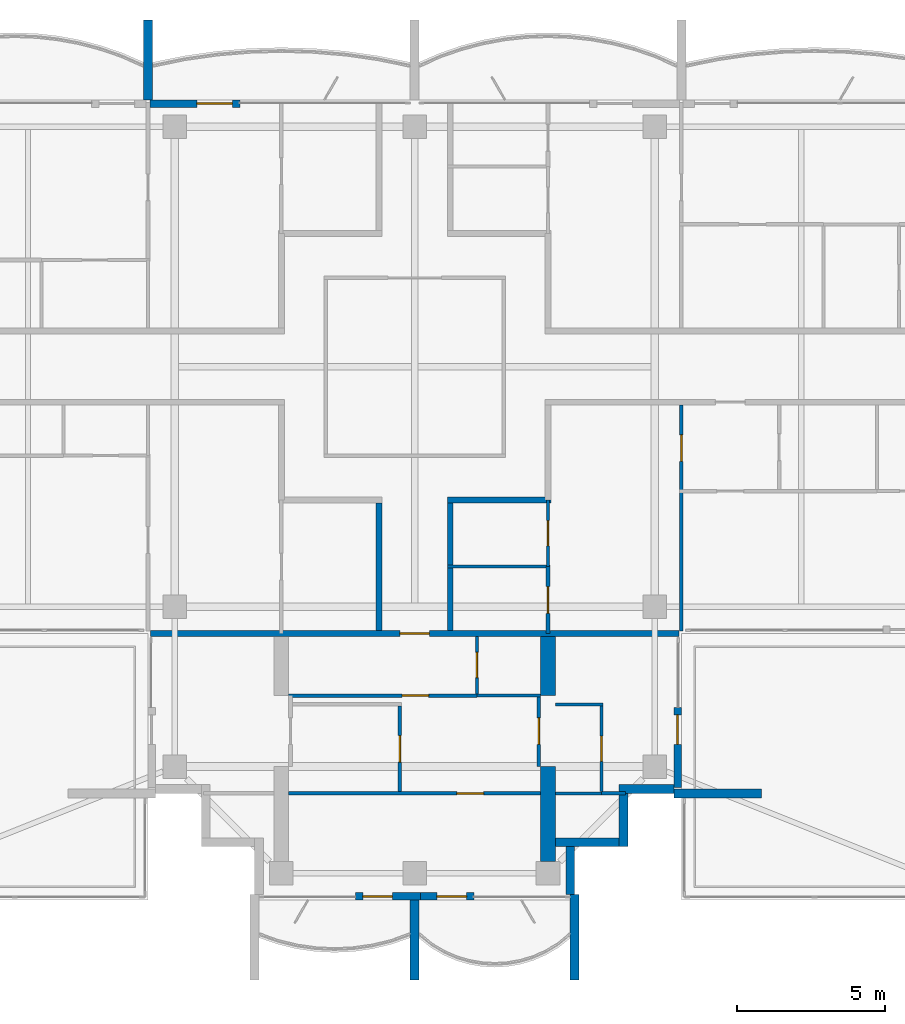
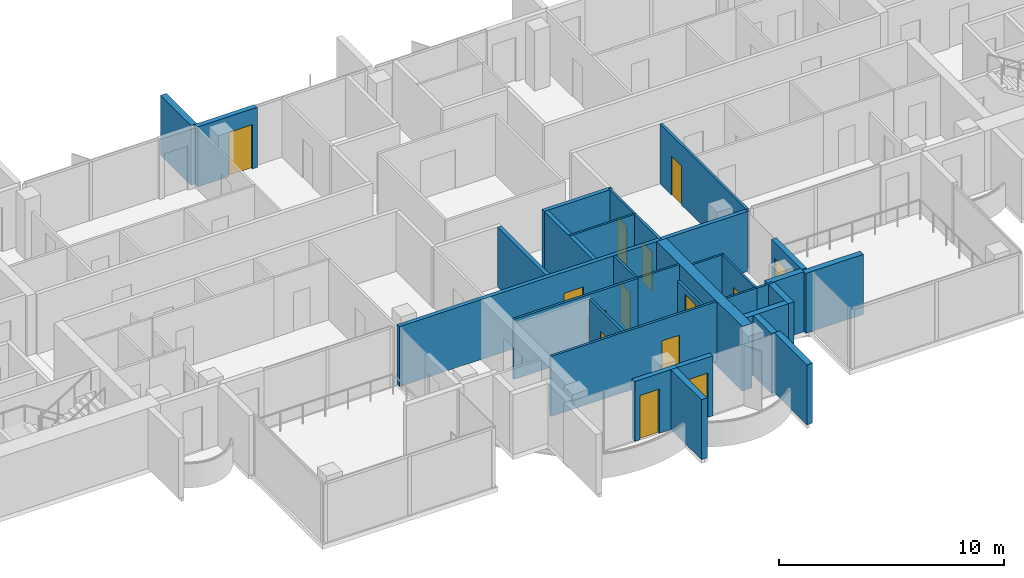
# One storey, part 9 of 16: 31 walls, 14 doors, 14 openings.
"""IFC4 building model written with IfcOpenShell, lengths in metres."""

from ifc_helpers import new_model, si_unit, direction, frame, frame_2d, origin, place, context, subcontext, project, spatial, polyline, rectangle, outline, extrude, material, layer, layer_set, material_profile, profile_set, type_object, element, fill, save


model = new_model("IFC4")

# Units and contexts
model_context = context("Model", 3, precision=1e-05, world=origin(), true_north=direction((0.0, 1.0)))
body_context = subcontext(model_context, "Body", "Model", "MODEL_VIEW")
ifc_project = project(units=[si_unit("LENGTHUNIT", "METRE"), si_unit("AREAUNIT", "SQUARE_METRE"), si_unit("VOLUMEUNIT", "CUBIC_METRE"), si_unit("PLANEANGLEUNIT", "RADIAN"), si_unit("MASSUNIT", "GRAM", prefix="KILO")], contexts=[model_context])

# Site, building, storey
site_placement = place(None, origin())
site = spatial("IfcSite", under=ifc_project, at=site_placement, CompositionType="ELEMENT")
building_placement = place(site_placement, origin())
building = spatial("IfcBuilding", under=site, at=building_placement, Name="Perihelion Cross Residences", CompositionType="ELEMENT")
storey_placement = place(building_placement, frame((0.0, 0.0, 267.5)))
storey = spatial("IfcBuildingStorey", under=building, at=storey_placement, Name="L68", CompositionType="ELEMENT", Elevation=267.5)

# Walls
ifc_material_1 = material(Name="Plasterboard partition")
ifc_layer_1 = layer(ifc_material_1, 0.199951171875)
ifc_layer_set_1 = layer_set([ifc_layer_1], Name="Apartment separation wall 200")
wall_type_1 = type_object("IfcWallType", Name="Apartment separation wall 200", PredefinedType="PARTITIONING", material=ifc_layer_set_1)
wall_1_placement = place(storey_placement, frame((4.60009765625, -4.5, 0.0), z_axis=(0.0, 0.0, 1.0), x_axis=(-1.0, 0.0, 0.0)))
element("IfcWall", 1, at=wall_1_placement, inside=storey, type_object=wall_type_1, Name="Partition L68 W011", PredefinedType="PARTITIONING", context=body_context, shape_type="SweptSolid", body=[
    extrude(rectangle(XDim=3.5, YDim=0.199951171875, at=frame_2d((1.75, 0.0))), origin(), (0.0, 0.0, 1.0), 3.25),
])
for number, where, z_axis, x_axis, name in (
    (2, (1.199951171875, -4.60009765625, 0.0), (0.0, 0.0, 1.0), (0.0, -1.0, 0.0), "Partition L68 W012"),
    (3, (-1.199951171875, -8.89990234375, 0.0), (0.0, 0.0, 1.0), (0.0, 1.0, 0.0), "Partition L68 W019"),
):
    element("IfcWall", number, at=place(storey_placement, frame(where, z_axis=z_axis, x_axis=x_axis)), inside=storey, type_object=wall_type_1, Name=name, PredefinedType="PARTITIONING", context=body_context, shape_type="SweptSolid", body=[
        extrude(rectangle(XDim=4.2998046875, YDim=0.199951171875, at=frame_2d((2.14990234375, 0.0))), origin(), (0.0, 0.0, 1.0), 3.25),
    ])

# Wall, opening, door
wall_2_placement = place(storey_placement, frame((8.919921875, -9.0, 0.0), z_axis=(0.0, 0.0, 1.0), x_axis=(-1.0, 0.0, 0.0)))
wall_2 = element("IfcWall", 4, at=wall_2_placement, inside=storey, type_object=wall_type_1, Name="Partition L68 W021", PredefinedType="PARTITIONING", context=body_context, shape_type="SweptSolid", body=[
    extrude(rectangle(XDim=17.83984375, YDim=0.199951171875, at=frame_2d((8.919921875, 0.0))), origin(), (0.0, 0.0, 1.0), 3.25),
])
opening_1_placement = place(wall_2_placement, frame((8.419921875, 0.0, 0.0)))
opening_1 = element("IfcOpeningElement", 5, at=opening_1_placement, cuts=wall_2, Name="Opening L68.A34", PredefinedType="OPENING", context=body_context, shape_type="SweptSolid", body=[
    extrude(rectangle(XDim=1.0, YDim=2.10009765625, at=frame_2d((0.5, 1.050048828125))), frame((0.0, 0.10986328125, 0.0), z_axis=(0.0, -1.0, 0.0), x_axis=(1.0, 0.0, 0.0)), (0.0, 0.0, 1.0), 0.219970703125),
])
ifc_material_2 = material(Name="Timber door leaf", Category="wood")
door_type_1 = type_object("IfcDoorType", Name="Flat entrance door 1000 x 2100", OperationType="SINGLE_SWING_LEFT", PredefinedType="DOOR", material=ifc_material_2)
door_1_placement = place(opening_1_placement, origin())
door_1 = element("IfcDoor", 6, at=door_1_placement, inside=storey, type_object=door_type_1, Name="Door L68.A34", OperationType="SINGLE_SWING_RIGHT", OverallHeight=2.10009765625, OverallWidth=1.0, PredefinedType="DOOR", context=body_context, shape_type="SweptSolid", body=[
    extrude(rectangle(XDim=1.0, YDim=2.10009765625, at=frame_2d((0.5, 1.050048828125))), frame((0.0, 0.02490234375, 0.0), z_axis=(0.0, -1.0, 0.0), x_axis=(1.0, 0.0, 0.0)), (0.0, 0.0, 1.0), 0.050048828125),
])
fill(opening_1, door_1)

ifc_material_3 = material(Name="Concrete C30/37, bronze-clad", Category="concrete")
ifc_layer_2 = layer(ifc_material_3, 0.25)
ifc_layer_set_2 = layer_set([ifc_layer_2], Name="Bronze-clad pier wall 250")
wall_type_2 = type_object("IfcWallType", Name="Bronze-clad pier wall 250", PredefinedType="SOLIDWALL", material=ifc_layer_set_2)
wall_3_placement = place(storey_placement, frame((-5.89990234375, 8.875, 0.0), z_axis=(0.0, 0.0, 1.0), x_axis=(-1.0, 0.0, 0.0)))
wall_3 = element("IfcWall", 7, at=wall_3_placement, inside=storey, type_object=wall_type_2, Name="Wall FW1 L68 north side east bay 2 pier", PredefinedType="SOLIDWALL", context=body_context, shape_type="SweptSolid", body=[
    extrude(rectangle(XDim=3.0400390625, YDim=0.25, at=frame_2d((1.52001953125, 0.0))), origin(), (0.0, 0.0, 1.0), 3.25),
])
opening_2_placement = place(wall_3_placement, frame((0.25, 0.0, 0.0)))
opening_2 = element("IfcOpeningElement", 8, at=opening_2_placement, cuts=wall_3, Name="Opening L68.E04", PredefinedType="OPENING", context=body_context, shape_type="SweptSolid", body=[
    extrude(rectangle(XDim=1.199951171875, YDim=2.39990234375, at=frame_2d((0.60009765625, 1.199951171875))), frame((0.0, 0.135009765625, 0.0), z_axis=(0.0, -1.0, 0.0), x_axis=(1.0, 0.0, 0.0)), (0.0, 0.0, 1.0), 0.27001953125),
])
ifc_material_4 = material(Name="Bronze anodised aluminium, glazed", Category="aluminium")
door_type_2 = type_object("IfcDoorType", Name="Balcony door 1200 x 2400", OperationType="NOTDEFINED", PredefinedType="DOOR", material=ifc_material_4)
door_2_placement = place(opening_2_placement, origin())
door_2 = element("IfcDoor", 9, at=door_2_placement, inside=storey, type_object=door_type_2, Name="Door L68.E04 north side east bay 2", OperationType="SINGLE_SWING_RIGHT", OverallHeight=2.39990234375, OverallWidth=1.199951171875, PredefinedType="DOOR", context=body_context, shape_type="SweptSolid", body=[
    extrude(rectangle(XDim=1.199951171875, YDim=2.39990234375, at=frame_2d((0.60009765625, 1.199951171875))), frame((0.0, 0.02490234375, 0.0), z_axis=(0.0, -1.0, 0.0), x_axis=(1.0, 0.0, 0.0)), (0.0, 0.0, 1.0), 0.050048828125),
])
fill(opening_2, door_2)

wall_4_placement = place(storey_placement, frame((-2.0, -17.875, 0.0), z_axis=(0.0, 0.0, 1.0), x_axis=(1.0, 0.0, 0.0)))
wall_4 = element("IfcWall", 10, at=wall_4_placement, inside=storey, type_object=wall_type_2, Name="Wall FW1 L68 south tip south bay 1 pier", PredefinedType="SOLIDWALL", context=body_context, shape_type="SweptSolid", body=[
    extrude(rectangle(XDim=2.199951171875, YDim=0.25, at=frame_2d((1.10009765625, 0.0))), origin(), (0.0, 0.0, 1.0), 3.25),
])
opening_3_placement = place(wall_4_placement, frame((0.25, 0.0, 0.0)))
opening_3 = element("IfcOpeningElement", 11, at=opening_3_placement, cuts=wall_4, Name="Opening L68.E10", PredefinedType="OPENING", context=body_context, shape_type="SweptSolid", body=[
    extrude(rectangle(XDim=1.0, YDim=2.39990234375, at=frame_2d((0.5, 1.199951171875))), frame((0.0, 0.135009765625, 0.0), z_axis=(0.0, -1.0, 0.0), x_axis=(1.0, 0.0, 0.0)), (0.0, 0.0, 1.0), 0.27001953125),
])
ifc_material_5 = material(Name="Bronze anodised aluminium, glazed", Category="aluminium")
door_type_3 = type_object("IfcDoorType", Name="Balcony door 1000 x 2400", OperationType="NOTDEFINED", PredefinedType="DOOR", material=ifc_material_5)
door_3_placement = place(opening_3_placement, origin())
door_3 = element("IfcDoor", 12, at=door_3_placement, inside=storey, type_object=door_type_3, Name="Door L68.E10 south tip south bay 1", OperationType="SINGLE_SWING_RIGHT", OverallHeight=2.39990234375, OverallWidth=1.0, PredefinedType="DOOR", context=body_context, shape_type="SweptSolid", body=[
    extrude(rectangle(XDim=1.0, YDim=2.39990234375, at=frame_2d((0.5, 1.199951171875))), frame((0.0, 0.02490234375, 0.0), z_axis=(0.0, -1.0, 0.0), x_axis=(1.0, 0.0, 0.0)), (0.0, 0.0, 1.0), 0.050048828125),
])
fill(opening_3, door_3)

wall_5_placement = place(storey_placement, frame((0.199951171875, -17.875, 0.0), z_axis=(0.0, 0.0, 1.0), x_axis=(1.0, 0.0, 0.0)))
wall_5 = element("IfcWall", 13, at=wall_5_placement, inside=storey, type_object=wall_type_2, Name="Wall FW1 L68 south tip south bay 2 pier", PredefinedType="SOLIDWALL", context=body_context, shape_type="SweptSolid", body=[
    extrude(rectangle(XDim=1.800048828125, YDim=0.25, at=frame_2d((0.89990234375, 0.0))), origin(), (0.0, 0.0, 1.0), 3.25),
])
opening_4_placement = place(wall_5_placement, frame((0.550048828125, 0.0, 0.0)))
opening_4 = element("IfcOpeningElement", 14, at=opening_4_placement, cuts=wall_5, Name="Opening L68.E11", PredefinedType="OPENING", context=body_context, shape_type="SweptSolid", body=[
    extrude(rectangle(XDim=1.0, YDim=2.39990234375, at=frame_2d((0.5, 1.199951171875))), frame((0.0, 0.135009765625, 0.0), z_axis=(0.0, -1.0, 0.0), x_axis=(1.0, 0.0, 0.0)), (0.0, 0.0, 1.0), 0.27001953125),
])
door_4_placement = place(opening_4_placement, origin())
door_4 = element("IfcDoor", 15, at=door_4_placement, inside=storey, type_object=door_type_3, Name="Door L68.E11 south tip south bay 2", OperationType="SINGLE_SWING_LEFT", OverallHeight=2.39990234375, OverallWidth=1.0, PredefinedType="DOOR", context=body_context, shape_type="SweptSolid", body=[
    extrude(rectangle(XDim=1.0, YDim=2.39990234375, at=frame_2d((0.5, 1.199951171875))), frame((0.0, 0.02490234375, 0.0), z_axis=(0.0, -1.0, 0.0), x_axis=(1.0, 0.0, 0.0)), (0.0, 0.0, 1.0), 0.050048828125),
])
fill(opening_4, door_4)

wall_6_placement = place(storey_placement, frame((8.875, -14.199951171875, 0.0), z_axis=(0.0, 0.0, 1.0), x_axis=(0.0, 1.0, 0.0)))
wall_6 = element("IfcWall", 16, at=wall_6_placement, inside=storey, type_object=wall_type_2, Name="Wall FW1 L68 south side east bay 1 pier", PredefinedType="SOLIDWALL", context=body_context, shape_type="SweptSolid", body=[
    extrude(rectangle(XDim=2.699951171875, YDim=0.25, at=frame_2d((1.35009765625, 0.0))), origin(), (0.0, 0.0, 1.0), 3.25),
])
opening_5_placement = place(wall_6_placement, frame((1.449951171875, 0.0, 0.0)))
opening_5 = element("IfcOpeningElement", 17, at=opening_5_placement, cuts=wall_6, Name="Opening L68.E12", PredefinedType="OPENING", context=body_context, shape_type="SweptSolid", body=[
    extrude(rectangle(XDim=1.0, YDim=2.39990234375, at=frame_2d((0.5, 1.199951171875))), frame((0.0, 0.135009765625, 0.0), z_axis=(0.0, -1.0, 0.0), x_axis=(1.0, 0.0, 0.0)), (0.0, 0.0, 1.0), 0.27001953125),
])
door_5_placement = place(opening_5_placement, origin())
door_5 = element("IfcDoor", 18, at=door_5_placement, inside=storey, type_object=door_type_3, Name="Door L68.E12 south side east bay 1", OperationType="SINGLE_SWING_RIGHT", OverallHeight=2.39990234375, OverallWidth=1.0, PredefinedType="DOOR", context=body_context, shape_type="SweptSolid", body=[
    extrude(rectangle(XDim=1.0, YDim=2.39990234375, at=frame_2d((0.5, 1.199951171875))), frame((0.0, 0.02490234375, 0.0), z_axis=(0.0, -1.0, 0.0), x_axis=(1.0, 0.0, 0.0)), (0.0, 0.0, 1.0), 0.050048828125),
])
fill(opening_5, door_5)

# Walls
ifc_material_6 = material(Name="Concrete C30/37, bronze-clad", Category="concrete")
ifc_layer_3 = layer(ifc_material_6, 0.300048828125)
ifc_layer_set_3 = layer_set([ifc_layer_3], Name="Bronze-clad serration wall 300")
wall_type_3 = type_object("IfcWallType", Name="Bronze-clad serration wall 300", PredefinedType="SOLIDWALL", material=ifc_layer_set_3)
wall_7_placement = place(storey_placement, frame((5.25, -17.820068359375, 0.0), z_axis=(0.0, 0.0, 1.0), x_axis=(0.0, 1.0, 0.0)))
element("IfcWall", 19, at=wall_7_placement, inside=storey, type_object=wall_type_3, Name="Wall SR1 L68 south corner south-east 1", PredefinedType="SOLIDWALL", context=body_context, shape_type="SweptSolid", body=[
    extrude(rectangle(XDim=1.6201171875, YDim=0.300048828125, at=frame_2d((0.81005859375, 0.0))), origin(), (0.0, 0.0, 1.0), 3.25),
])
wall_8_placement = place(storey_placement, frame((4.75, -16.050048828125, 0.0), z_axis=(0.0, 0.0, 1.0), x_axis=(1.0, 0.0, 0.0)))
element("IfcWall", 20, at=wall_8_placement, inside=storey, type_object=wall_type_3, Name="Wall SR1 L68 south corner south-east 2", PredefinedType="SOLIDWALL", context=body_context, shape_type="SweptSolid", body=[
    extrude(rectangle(XDim=2.14990234375, YDim=0.300048828125, at=frame_2d((1.074951171875, 0.0))), origin(), (0.0, 0.0, 1.0), 3.25),
])
wall_9_placement = place(storey_placement, frame((7.050048828125, -16.199951171875, 0.0), z_axis=(0.0, 0.0, 1.0), x_axis=(0.0, 1.0, 0.0)))
element("IfcWall", 21, at=wall_9_placement, inside=storey, type_object=wall_type_3, Name="Wall SR1 L68 south corner south-east 3", PredefinedType="SOLIDWALL", context=body_context, shape_type="SweptSolid", body=[
    extrude(rectangle(XDim=1.800048828125, YDim=0.300048828125, at=frame_2d((0.89990234375, 0.0))), origin(), (0.0, 0.0, 1.0), 3.25),
])
wall_10_placement = place(storey_placement, frame((6.89990234375, -14.25, 0.0), z_axis=(0.0, 0.0, 1.0), x_axis=(1.0, 0.0, 0.0)))
element("IfcWall", 22, at=wall_10_placement, inside=storey, type_object=wall_type_3, Name="Wall SR1 L68 south corner south-east 4", PredefinedType="SOLIDWALL", context=body_context, shape_type="SweptSolid", body=[
    extrude(rectangle(XDim=1.85009765625, YDim=0.300048828125, at=frame_2d((0.925048828125, 0.0))), origin(), (0.0, 0.0, 1.0), 3.25),
])

# Wall, opening, door
ifc_material_7 = material(Name="Plasterboard partition")
ifc_layer_4 = layer(ifc_material_7, 0.1201171875)
ifc_layer_set_4 = layer_set([ifc_layer_4], Name="Infill panel 120")
wall_type_4 = type_object("IfcWallType", Name="Infill panel 120", PredefinedType="PARTITIONING", material=ifc_layer_set_4)
wall_11_placement = place(storey_placement, frame((4.18994140625, -11.10009765625, 0.0), z_axis=(0.0, 0.0, 1.0), x_axis=(0.0, -1.0, 0.0)))
wall_11 = element("IfcWall", 23, at=wall_11_placement, inside=storey, type_object=wall_type_4, Name="Partition L68 WI01", PredefinedType="PARTITIONING", context=body_context, shape_type="SweptSolid", body=[
    extrude(rectangle(XDim=2.39990234375, YDim=0.1201171875, at=frame_2d((1.199951171875, 0.0))), origin(), (0.0, 0.0, 1.0), 2.39990234375),
])
opening_6_placement = place(wall_11_placement, frame((0.75, 0.0, 0.0)))
opening_6 = element("IfcOpeningElement", 24, at=opening_6_placement, cuts=wall_11, Name="Opening L68.A44", PredefinedType="OPENING", context=body_context, shape_type="SweptSolid", body=[
    extrude(rectangle(XDim=0.89990234375, YDim=2.10009765625, at=frame_2d((0.449951171875, 1.050048828125))), frame((0.0, 0.070068359375, 0.0), z_axis=(0.0, -1.0, 0.0), x_axis=(1.0, 0.0, 0.0)), (0.0, 0.0, 1.0), 0.14013671875),
])
ifc_material_8 = material(Name="Timber door leaf", Category="wood")
door_type_4 = type_object("IfcDoorType", Name="Interior room door 900 x 2100", OperationType="SINGLE_SWING_LEFT", PredefinedType="DOOR", material=ifc_material_8)
door_6_placement = place(opening_6_placement, origin())
door_6 = element("IfcDoor", 25, at=door_6_placement, inside=storey, type_object=door_type_4, Name="Door L68.A44", OperationType="SINGLE_SWING_LEFT", OverallHeight=2.10009765625, OverallWidth=0.89990234375, PredefinedType="DOOR", context=body_context, shape_type="SweptSolid", body=[
    extrude(rectangle(XDim=0.89990234375, YDim=2.10009765625, at=frame_2d((0.449951171875, 1.050048828125))), frame((0.0, 0.02490234375, 0.0), z_axis=(0.0, -1.0, 0.0), x_axis=(1.0, 0.0, 0.0)), (0.0, 0.0, 1.0), 0.050048828125),
])
fill(opening_6, door_6)

ifc_material_9 = material(Name="Plasterboard partition")
ifc_layer_5 = layer(ifc_material_9, 0.1201171875)
ifc_layer_set_5 = layer_set([ifc_layer_5], Name="Partition wall 120")
wall_type_5 = type_object("IfcWallType", Name="Partition wall 120", PredefinedType="PARTITIONING", material=ifc_layer_set_5)
wall_12_placement = place(storey_placement, frame((9.0, -8.919921875, 0.0), z_axis=(0.0, 0.0, 1.0), x_axis=(0.0, 1.0, 0.0)))
wall_12 = element("IfcWall", 26, at=wall_12_placement, inside=storey, type_object=wall_type_5, Name="Partition L68 W035", PredefinedType="PARTITIONING", context=body_context, shape_type="SweptSolid", body=[
    extrude(rectangle(XDim=7.619873046875, YDim=0.1201171875, at=frame_2d((3.81005859375, 0.0))), origin(), (0.0, 0.0, 1.0), 3.25),
])
opening_7_placement = place(wall_12_placement, frame((5.719970703125, 0.0, 0.0)))
opening_7 = element("IfcOpeningElement", 27, at=opening_7_placement, cuts=wall_12, Name="Opening L68.A12", PredefinedType="OPENING", context=body_context, shape_type="SweptSolid", body=[
    extrude(rectangle(XDim=0.89990234375, YDim=2.10009765625, at=frame_2d((0.449951171875, 1.050048828125))), frame((0.0, 0.070068359375, 0.0), z_axis=(0.0, -1.0, 0.0), x_axis=(1.0, 0.0, 0.0)), (0.0, 0.0, 1.0), 0.14013671875),
])
door_7_placement = place(opening_7_placement, origin())
door_7 = element("IfcDoor", 28, at=door_7_placement, inside=storey, type_object=door_type_4, Name="Door L68.A12", OperationType="SINGLE_SWING_RIGHT", OverallHeight=2.10009765625, OverallWidth=0.89990234375, PredefinedType="DOOR", context=body_context, shape_type="SweptSolid", body=[
    extrude(rectangle(XDim=0.89990234375, YDim=2.10009765625, at=frame_2d((0.449951171875, 1.050048828125))), frame((0.0, 0.02490234375, 0.0), z_axis=(0.0, -1.0, 0.0), x_axis=(1.0, 0.0, 0.0)), (0.0, 0.0, 1.0), 0.050048828125),
])
fill(opening_7, door_7)

wall_13_placement = place(storey_placement, frame((4.5, -9.0, 0.0), z_axis=(0.0, 0.0, 1.0), x_axis=(0.0, 1.0, 0.0)))
wall_13 = element("IfcWall", 29, at=wall_13_placement, inside=storey, type_object=wall_type_5, Name="Partition L68 W042", PredefinedType="PARTITIONING", context=body_context, shape_type="SweptSolid", body=[
    extrude(rectangle(XDim=2.25, YDim=0.1201171875, at=frame_2d((1.125, 0.0))), origin(), (0.0, 0.0, 1.0), 3.25),
])
opening_8_placement = place(wall_13_placement, frame((0.675048828125, 0.0, 0.0)))
opening_8 = element("IfcOpeningElement", 30, at=opening_8_placement, cuts=wall_13, Name="Opening L68.A14", PredefinedType="OPENING", context=body_context, shape_type="SweptSolid", body=[
    extrude(rectangle(XDim=0.89990234375, YDim=2.10009765625, at=frame_2d((0.449951171875, 1.050048828125))), frame((0.0, 0.070068359375, 0.0), z_axis=(0.0, -1.0, 0.0), x_axis=(1.0, 0.0, 0.0)), (0.0, 0.0, 1.0), 0.14013671875),
])
door_8_placement = place(opening_8_placement, origin())
door_8 = element("IfcDoor", 31, at=door_8_placement, inside=storey, type_object=door_type_4, Name="Door L68.A14", OperationType="SINGLE_SWING_LEFT", OverallHeight=2.10009765625, OverallWidth=0.89990234375, PredefinedType="DOOR", context=body_context, shape_type="SweptSolid", body=[
    extrude(rectangle(XDim=0.89990234375, YDim=2.10009765625, at=frame_2d((0.449951171875, 1.050048828125))), frame((0.0, 0.02490234375, 0.0), z_axis=(0.0, -1.0, 0.0), x_axis=(1.0, 0.0, 0.0)), (0.0, 0.0, 1.0), 0.050048828125),
])
fill(opening_8, door_8)

wall_14_placement = place(storey_placement, frame((2.10009765625, -11.10009765625, 0.0), z_axis=(0.0, 0.0, 1.0), x_axis=(-1.0, 0.0, 0.0)))
wall_14 = element("IfcWall", 32, at=wall_14_placement, inside=storey, type_object=wall_type_5, Name="Partition L68 W068", PredefinedType="PARTITIONING", context=body_context, shape_type="SweptSolid", body=[
    extrude(rectangle(XDim=6.35009765625, YDim=0.1201171875, at=frame_2d((3.175048828125, 0.0))), origin(), (0.0, 0.0, 1.0), 3.25),
])
opening_9_placement = place(wall_14_placement, frame((1.625, 0.0, 0.0)))
opening_9 = element("IfcOpeningElement", 33, at=opening_9_placement, cuts=wall_14, Name="Opening L68.A36", PredefinedType="OPENING", context=body_context, shape_type="SweptSolid", body=[
    extrude(rectangle(XDim=0.89990234375, YDim=2.10009765625, at=frame_2d((0.449951171875, 1.050048828125))), frame((0.0, 0.070068359375, 0.0), z_axis=(0.0, -1.0, 0.0), x_axis=(1.0, 0.0, 0.0)), (0.0, 0.0, 1.0), 0.14013671875),
])
door_9_placement = place(opening_9_placement, origin())
door_9 = element("IfcDoor", 34, at=door_9_placement, inside=storey, type_object=door_type_4, Name="Door L68.A36", OperationType="SINGLE_SWING_RIGHT", OverallHeight=2.10009765625, OverallWidth=0.89990234375, PredefinedType="DOOR", context=body_context, shape_type="SweptSolid", body=[
    extrude(rectangle(XDim=0.89990234375, YDim=2.10009765625, at=frame_2d((0.449951171875, 1.050048828125))), frame((0.0, 0.02490234375, 0.0), z_axis=(0.0, -1.0, 0.0), x_axis=(1.0, 0.0, 0.0)), (0.0, 0.0, 1.0), 0.050048828125),
])
fill(opening_9, door_9)

wall_15_placement = place(storey_placement, frame((-0.5, -14.340087890625, 0.0), z_axis=(0.0, 0.0, 1.0), x_axis=(0.0, 1.0, 0.0)))
wall_15 = element("IfcWall", 35, at=wall_15_placement, inside=storey, type_object=wall_type_5, Name="Partition L68 W070", PredefinedType="PARTITIONING", context=body_context, shape_type="SweptSolid", body=[
    extrude(rectangle(XDim=2.880126953125, YDim=0.1201171875, at=frame_2d((1.43994140625, 0.0))), origin(), (0.0, 0.0, 1.0), 3.25),
])
opening_10_placement = place(wall_15_placement, frame((0.989990234375, 0.0, 0.0)))
opening_10 = element("IfcOpeningElement", 36, at=opening_10_placement, cuts=wall_15, Name="Opening L68.A37", PredefinedType="OPENING", context=body_context, shape_type="SweptSolid", body=[
    extrude(rectangle(XDim=0.89990234375, YDim=2.10009765625, at=frame_2d((0.449951171875, 1.050048828125))), frame((0.0, 0.070068359375, 0.0), z_axis=(0.0, -1.0, 0.0), x_axis=(1.0, 0.0, 0.0)), (0.0, 0.0, 1.0), 0.14013671875),
])
door_10_placement = place(opening_10_placement, origin())
door_10 = element("IfcDoor", 37, at=door_10_placement, inside=storey, type_object=door_type_4, Name="Door L68.A37", OperationType="SINGLE_SWING_RIGHT", OverallHeight=2.10009765625, OverallWidth=0.89990234375, PredefinedType="DOOR", context=body_context, shape_type="SweptSolid", body=[
    extrude(rectangle(XDim=0.89990234375, YDim=2.10009765625, at=frame_2d((0.449951171875, 1.050048828125))), frame((0.0, 0.02490234375, 0.0), z_axis=(0.0, -1.0, 0.0), x_axis=(1.0, 0.0, 0.0)), (0.0, 0.0, 1.0), 0.050048828125),
])
fill(opening_10, door_10)

wall_16_placement = place(storey_placement, frame((4.25, -14.39990234375, 0.0), z_axis=(0.0, 0.0, 1.0), x_axis=(-1.0, 0.0, 0.0)))
wall_16 = element("IfcWall", 38, at=wall_16_placement, inside=storey, type_object=wall_type_5, Name="Partition L68 W072", PredefinedType="PARTITIONING", context=body_context, shape_type="SweptSolid", body=[
    extrude(rectangle(XDim=8.5, YDim=0.1201171875, at=frame_2d((4.25, 0.0))), origin(), (0.0, 0.0, 1.0), 3.25),
])
opening_11_placement = place(wall_16_placement, frame((1.925048828125, 0.0, 0.0)))
opening_11 = element("IfcOpeningElement", 39, at=opening_11_placement, cuts=wall_16, Name="Opening L68.A38", PredefinedType="OPENING", context=body_context, shape_type="SweptSolid", body=[
    extrude(rectangle(XDim=0.89990234375, YDim=2.10009765625, at=frame_2d((0.449951171875, 1.050048828125))), frame((0.0, 0.070068359375, 0.0), z_axis=(0.0, -1.0, 0.0), x_axis=(1.0, 0.0, 0.0)), (0.0, 0.0, 1.0), 0.14013671875),
])
door_11_placement = place(opening_11_placement, origin())
door_11 = element("IfcDoor", 40, at=door_11_placement, inside=storey, type_object=door_type_4, Name="Door L68.A38", OperationType="SINGLE_SWING_RIGHT", OverallHeight=2.10009765625, OverallWidth=0.89990234375, PredefinedType="DOOR", context=body_context, shape_type="SweptSolid", body=[
    extrude(rectangle(XDim=0.89990234375, YDim=2.10009765625, at=frame_2d((0.449951171875, 1.050048828125))), frame((0.0, 0.02490234375, 0.0), z_axis=(0.0, -1.0, 0.0), x_axis=(1.0, 0.0, 0.0)), (0.0, 0.0, 1.0), 0.050048828125),
])
fill(opening_11, door_11)

# Walls
wall_17_placement = place(storey_placement, frame((7.1201171875, -14.39990234375, 0.0), z_axis=(0.0, 0.0, 1.0), x_axis=(-1.0, 0.0, 0.0)))
element("IfcWall", 41, at=wall_17_placement, inside=storey, type_object=wall_type_5, Name="Partition L68 W075", PredefinedType="PARTITIONING", context=body_context, shape_type="SweptSolid", body=[
    extrude(rectangle(XDim=0.820068359375, YDim=0.1201171875, at=frame_2d((0.41015625, 0.0))), origin(), (0.0, 0.0, 1.0), 3.25),
])
ifc_material_10 = material(Name="Precast concrete C50/60", Category="concrete")
ifc_layer_6 = layer(ifc_material_10, 0.300048828125)
ifc_layer_set_6 = layer_set([ifc_layer_6], Name="Precast concrete C50/60 blade wall 300")
wall_type_6 = type_object("IfcWallType", Name="Precast concrete C50/60 blade wall 300", PredefinedType="SOLIDWALL", material=ifc_layer_set_6)
for number, where, z_axis, x_axis, name in (
    (42, (-9.0, 9.0, 0.0), (0.0, 0.0, 1.0), (0.0, 1.0, 0.0), "Wall BL1 L68 no. 7"),
    (43, (0.0, -18.0, 0.0), (0.0, 0.0, 1.0), (0.0, -1.0, 0.0), "Wall BL1 L68 no. 8"),
):
    element("IfcWall", number, at=place(storey_placement, frame(where, z_axis=z_axis, x_axis=x_axis)), inside=storey, type_object=wall_type_6, Name=name, PredefinedType="SOLIDWALL", context=body_context, shape_type="SweptSolid", body=[
        extrude(rectangle(XDim=2.699951171875, YDim=0.300048828125, at=frame_2d((1.35009765625, 0.0))), origin(), (0.0, 0.0, 1.0), 3.25),
    ])
wall_18_placement = place(storey_placement, frame((5.39990234375, -17.820068359375, 0.0), z_axis=(0.0, 0.0, 1.0), x_axis=(0.0, -1.0, 0.0)))
element("IfcWall", 44, at=wall_18_placement, inside=storey, type_object=wall_type_6, Name="Wall BL1 L68 no. 14", PredefinedType="SOLIDWALL", context=body_context, shape_type="SweptSolid", body=[
    extrude(rectangle(XDim=2.8798828125, YDim=0.300048828125, at=frame_2d((1.43994140625, 0.0))), origin(), (0.0, 0.0, 1.0), 3.25),
])
wall_19_placement = place(storey_placement, frame((8.75, -14.39990234375, 0.0), z_axis=(0.0, 0.0, 1.0), x_axis=(1.0, 0.0, 0.0)))
element("IfcWall", 45, at=wall_19_placement, inside=storey, type_object=wall_type_6, Name="Wall BL1 L68 no. 15", PredefinedType="SOLIDWALL", context=body_context, shape_type="SweptSolid", body=[
    extrude(rectangle(XDim=2.949951171875, YDim=0.300048828125, at=frame_2d((1.47509765625, 0.0))), origin(), (0.0, 0.0, 1.0), 3.25),
])
ifc_material_11 = material(Name="Concrete C50/60", Category="concrete")
ifc_material_profile = material_profile(ifc_material_11, outline(polyline([(0.0, 0.0), (3.199951171875, 0.0), (3.199951171875, 2.64990234375), (5.60009765625, 2.64990234375), (5.60009765625, 0.0), (7.699951171875, 0.0), (7.699951171875, 3.5), (0.0, 3.5), (0.0, 0.0)])), Name="Tip spine wall")
ifc_profile_set = profile_set([ifc_material_profile], Name="Concrete C50/60")
wall_type_7 = type_object("IfcWallType", Name="Tip spine wall 500 with 1 door openings 7700 long 3500 high concrete C50/60", PredefinedType="SHEAR", material=ifc_profile_set)
wall_20_placement = place(storey_placement, frame((4.25, -16.699951171875, -0.25), z_axis=(1.0, 0.0, 0.0), x_axis=(0.0, 1.0, 0.0)))
element("IfcWall", 46, at=wall_20_placement, inside=storey, type_object=wall_type_7, Name="Shear wall SW45 L68 south east", PredefinedType="SHEAR", context=body_context, shape_type="SweptSolid", body=[
    extrude(outline(polyline([(0.0, 0.0), (3.199951171875, 0.0), (3.199951171875, 2.64990234375), (5.60009765625, 2.64990234375), (5.60009765625, 0.0), (7.699951171875, 0.0), (7.699951171875, 3.5), (0.0, 3.5), (0.0, 0.0)])), origin(), (0.0, 0.0, 1.0), 0.5),
])

# Wall, opening, door
ifc_material_12 = material(Name="Plasterboard partition")
ifc_layer_7 = layer(ifc_material_12, 0.10009765625)
ifc_layer_set_7 = layer_set([ifc_layer_7], Name="Wet room wall 100")
wall_type_8 = type_object("IfcWallType", Name="Wet room wall 100", PredefinedType="PARTITIONING", material=ifc_layer_set_7)
wall_21_placement = place(storey_placement, frame((4.5, -6.75, 0.0), z_axis=(0.0, 0.0, 1.0), x_axis=(0.0, 1.0, 0.0)))
wall_21 = element("IfcWall", 47, at=wall_21_placement, inside=storey, type_object=wall_type_8, Name="Partition L68 W041", PredefinedType="PARTITIONING", context=body_context, shape_type="SweptSolid", body=[
    extrude(rectangle(XDim=2.25, YDim=0.10009765625, at=frame_2d((1.125, 0.0))), origin(), (0.0, 0.0, 1.0), 3.25),
])
opening_12_placement = place(wall_21_placement, frame((0.699951171875, 0.0, 0.0)))
opening_12 = element("IfcOpeningElement", 48, at=opening_12_placement, cuts=wall_21, Name="Opening L68.A11", PredefinedType="OPENING", context=body_context, shape_type="SweptSolid", body=[
    extrude(rectangle(XDim=0.85009765625, YDim=2.10009765625, at=frame_2d((0.425048828125, 1.050048828125))), frame((0.0, 0.06005859375, 0.0), z_axis=(0.0, -1.0, 0.0), x_axis=(1.0, 0.0, 0.0)), (0.0, 0.0, 1.0), 0.1201171875),
])
ifc_material_13 = material(Name="Timber door leaf", Category="wood")
door_type_5 = type_object("IfcDoorType", Name="Interior bathroom door 850 x 2100", OperationType="SINGLE_SWING_LEFT", PredefinedType="DOOR", material=ifc_material_13)
door_12_placement = place(opening_12_placement, origin())
door_12 = element("IfcDoor", 49, at=door_12_placement, inside=storey, type_object=door_type_5, Name="Door L68.A11", OperationType="SINGLE_SWING_LEFT", OverallHeight=2.10009765625, OverallWidth=0.85009765625, PredefinedType="DOOR", context=body_context, shape_type="SweptSolid", body=[
    extrude(rectangle(XDim=0.85009765625, YDim=2.10009765625, at=frame_2d((0.425048828125, 1.050048828125))), frame((0.0, 0.02490234375, 0.0), z_axis=(0.0, -1.0, 0.0), x_axis=(1.0, 0.0, 0.0)), (0.0, 0.0, 1.0), 0.050048828125),
])
fill(opening_12, door_12)

# Wall
wall_22_placement = place(storey_placement, frame((4.56005859375, -6.75, 0.0), z_axis=(0.0, 0.0, 1.0), x_axis=(-1.0, 0.0, 0.0)))
element("IfcWall", 50, at=wall_22_placement, inside=storey, type_object=wall_type_8, Name="Partition L68 W043", PredefinedType="PARTITIONING", context=body_context, shape_type="SweptSolid", body=[
    extrude(rectangle(XDim=3.4599609375, YDim=0.10009765625, at=frame_2d((1.72998046875, 0.0))), origin(), (0.0, 0.0, 1.0), 3.25),
])

# Wall, opening, door
wall_23_placement = place(storey_placement, frame((2.10009765625, -9.10009765625, 0.0), z_axis=(0.0, 0.0, 1.0), x_axis=(0.0, -1.0, 0.0)))
wall_23 = element("IfcWall", 51, at=wall_23_placement, inside=storey, type_object=wall_type_8, Name="Partition L68 W067", PredefinedType="PARTITIONING", context=body_context, shape_type="SweptSolid", body=[
    extrude(rectangle(XDim=1.93994140625, YDim=0.10009765625, at=frame_2d((0.969970703125, 0.0))), origin(), (0.0, 0.0, 1.0), 3.25),
])
opening_13_placement = place(wall_23_placement, frame((0.544921875, 0.0, 0.0)))
opening_13 = element("IfcOpeningElement", 52, at=opening_13_placement, cuts=wall_23, Name="Opening L68.A35", PredefinedType="OPENING", context=body_context, shape_type="SweptSolid", body=[
    extrude(rectangle(XDim=0.85009765625, YDim=2.10009765625, at=frame_2d((0.425048828125, 1.050048828125))), frame((0.0, 0.06005859375, 0.0), z_axis=(0.0, -1.0, 0.0), x_axis=(1.0, 0.0, 0.0)), (0.0, 0.0, 1.0), 0.1201171875),
])
door_13_placement = place(opening_13_placement, origin())
door_13 = element("IfcDoor", 53, at=door_13_placement, inside=storey, type_object=door_type_5, Name="Door L68.A35", OperationType="SINGLE_SWING_LEFT", OverallHeight=2.10009765625, OverallWidth=0.85009765625, PredefinedType="DOOR", context=body_context, shape_type="SweptSolid", body=[
    extrude(rectangle(XDim=0.85009765625, YDim=2.10009765625, at=frame_2d((0.425048828125, 1.050048828125))), frame((0.0, 0.02490234375, 0.0), z_axis=(0.0, -1.0, 0.0), x_axis=(1.0, 0.0, 0.0)), (0.0, 0.0, 1.0), 0.050048828125),
])
fill(opening_13, door_13)

# Wall
wall_24_placement = place(storey_placement, frame((4.25, -11.10009765625, 0.0), z_axis=(0.0, 0.0, 1.0), x_axis=(-1.0, 0.0, 0.0)))
element("IfcWall", 54, at=wall_24_placement, inside=storey, type_object=wall_type_8, Name="Partition L68 W069", PredefinedType="PARTITIONING", context=body_context, shape_type="SweptSolid", body=[
    extrude(rectangle(XDim=2.14990234375, YDim=0.10009765625, at=frame_2d((1.074951171875, 0.0))), origin(), (0.0, 0.0, 1.0), 3.25),
])

# Wall, opening, door
wall_25_placement = place(storey_placement, frame((6.300048828125, -14.340087890625, 0.0), z_axis=(0.0, 0.0, 1.0), x_axis=(0.0, 1.0, 0.0)))
wall_25 = element("IfcWall", 55, at=wall_25_placement, inside=storey, type_object=wall_type_8, Name="Partition L68 W073", PredefinedType="PARTITIONING", context=body_context, shape_type="SweptSolid", body=[
    extrude(rectangle(XDim=2.89013671875, YDim=0.10009765625, at=frame_2d((1.445068359375, 0.0))), origin(), (0.0, 0.0, 1.0), 3.25),
])
opening_14_placement = place(wall_25_placement, frame((1.02001953125, 0.0, 0.0)))
opening_14 = element("IfcOpeningElement", 56, at=opening_14_placement, cuts=wall_25, Name="Opening L68.A39", PredefinedType="OPENING", context=body_context, shape_type="SweptSolid", body=[
    extrude(rectangle(XDim=0.85009765625, YDim=2.10009765625, at=frame_2d((0.425048828125, 1.050048828125))), frame((0.0, 0.06005859375, 0.0), z_axis=(0.0, -1.0, 0.0), x_axis=(1.0, 0.0, 0.0)), (0.0, 0.0, 1.0), 0.1201171875),
])
door_14_placement = place(opening_14_placement, origin())
door_14 = element("IfcDoor", 57, at=door_14_placement, inside=storey, type_object=door_type_5, Name="Door L68.A39", OperationType="SINGLE_SWING_LEFT", OverallHeight=2.10009765625, OverallWidth=0.85009765625, PredefinedType="DOOR", context=body_context, shape_type="SweptSolid", body=[
    extrude(rectangle(XDim=0.85009765625, YDim=2.10009765625, at=frame_2d((0.425048828125, 1.050048828125))), frame((0.0, 0.02490234375, 0.0), z_axis=(0.0, -1.0, 0.0), x_axis=(1.0, 0.0, 0.0)), (0.0, 0.0, 1.0), 0.050048828125),
])
fill(opening_14, door_14)

# Walls
wall_26_placement = place(storey_placement, frame((6.35009765625, -11.39990234375, 0.0), z_axis=(0.0, 0.0, 1.0), x_axis=(-1.0, 0.0, 0.0)))
element("IfcWall", 58, at=wall_26_placement, inside=storey, type_object=wall_type_8, Name="Partition L68 W074", PredefinedType="PARTITIONING", context=body_context, shape_type="SweptSolid", body=[
    extrude(rectangle(XDim=1.60009765625, YDim=0.10009765625, at=frame_2d((0.800048828125, 0.0))), origin(), (0.0, 0.0, 1.0), 3.25),
])
wall_27_placement = place(storey_placement, frame((6.300048828125, -14.39990234375, 0.0), z_axis=(0.0, 0.0, 1.0), x_axis=(-1.0, 0.0, 0.0)))
element("IfcWall", 59, at=wall_27_placement, inside=storey, type_object=wall_type_8, Name="Partition L68 W076", PredefinedType="PARTITIONING", context=body_context, shape_type="SweptSolid", body=[
    extrude(rectangle(XDim=1.550048828125, YDim=0.10009765625, at=frame_2d((0.77490234375, 0.0))), origin(), (0.0, 0.0, 1.0), 3.25),
])

save(model, "model.ifc")
